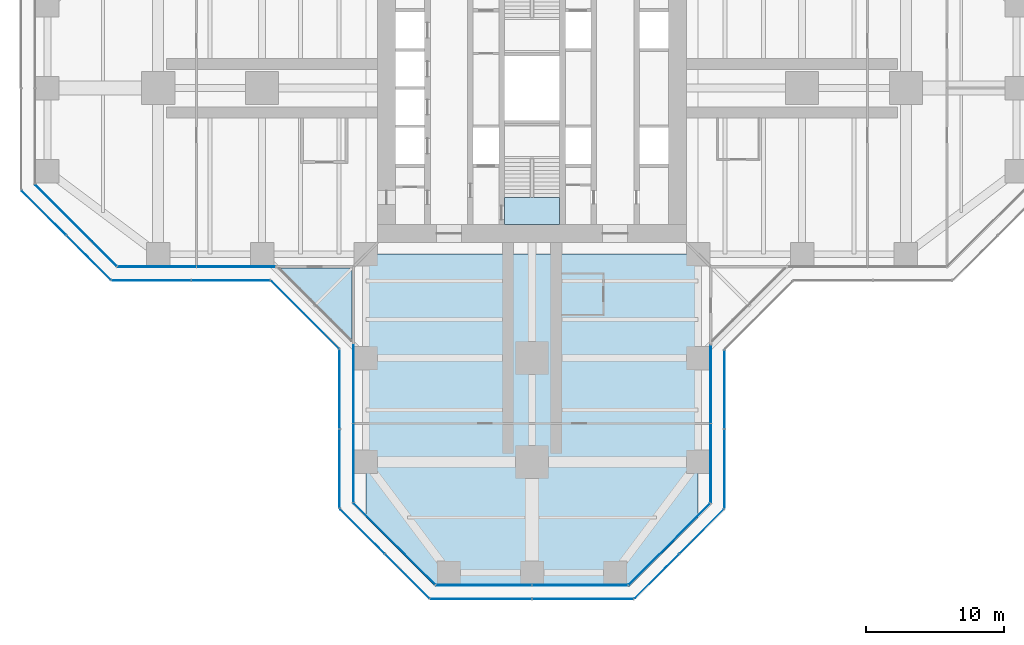
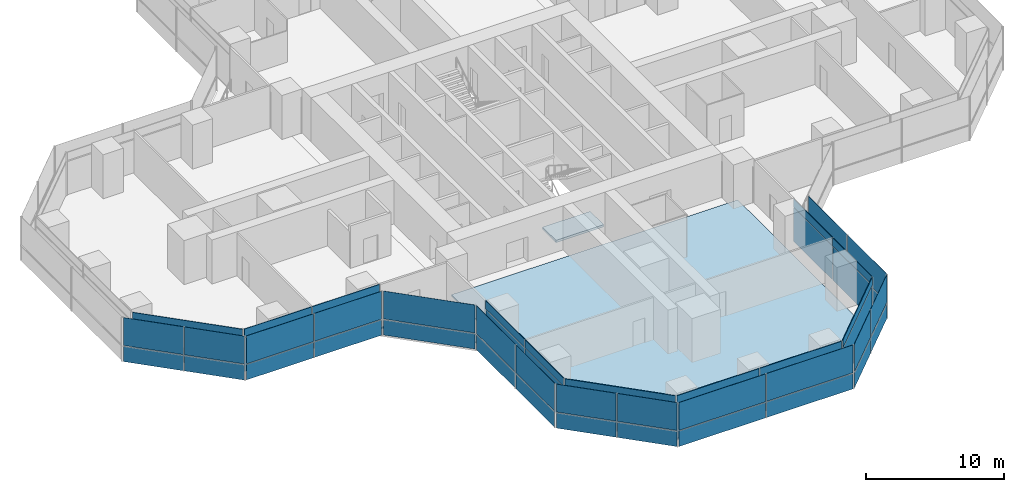
# One storey, part 14 of 22: 52 plates, 3 slabs, 16 elements without a shape of their own.
"""IFC4 building model written with IfcOpenShell, lengths in metres."""

from ifc_helpers import new_model, si_unit, direction, frame, origin, origin_2d, place, context, subcontext, project, spatial, polyline, rectangle, outline, extrude, material, layer, layer_set, type_object, element, aggregate, save


model = new_model("IFC4")

# Units and contexts
model_context = context("Model", 3, precision=1e-05, world=origin(), true_north=direction((0.0, 1.0)))
body_context = subcontext(model_context, "Body", "Model", "MODEL_VIEW")
ifc_project = project(units=[si_unit("LENGTHUNIT", "METRE"), si_unit("AREAUNIT", "SQUARE_METRE"), si_unit("VOLUMEUNIT", "CUBIC_METRE"), si_unit("PLANEANGLEUNIT", "RADIAN"), si_unit("MASSUNIT", "GRAM", prefix="KILO")], contexts=[model_context])

# Site, building, storey
site_placement = place(None, origin())
site = spatial("IfcSite", under=ifc_project, at=site_placement, CompositionType="ELEMENT")
building_placement = place(site_placement, origin())
building = spatial("IfcBuilding", under=site, at=building_placement, Name="Mizan Broadcast Tower", CompositionType="ELEMENT")
storey_placement = place(building_placement, frame((0.0, 0.0, 102.0)))
storey = spatial("IfcBuildingStorey", under=building, at=storey_placement, Name="L22", CompositionType="ELEMENT", Elevation=102.0)

# Slab
ifc_material_1 = material(Name="Concrete C32/40", Category="concrete")
ifc_layer_1 = layer(ifc_material_1, 0.1298828125)
ifc_layer_set_1 = layer_set([ifc_layer_1], Name="Concrete C32/40")
slab_type_1 = type_object("IfcSlabType", Name="COMPOSITE DECK SLAB 130", PredefinedType="FLOOR", material=ifc_layer_set_1)
slab_1_placement = place(storey_placement, frame((0.0, 0.0, -0.1298828125)))
element("IfcSlab", 1, at=slab_1_placement, inside=storey, type_object=slab_type_1, Name="Floor slab L22 south arm", PredefinedType="FLOOR", context=body_context, shape_type="SweptSolid", body=[
    extrude(outline(polyline([(7.0, -36.0), (12.0, -31.0), (12.0, -12.0), (-12.0, -12.0), (-12.0, -31.0), (-7.0, -36.0), (7.0, -36.0)])), origin(), (0.0, 0.0, 1.0), 0.1298828125),
])

# Curtain wall, plate
ifc_material_2 = material(Name="Aluminium framed glazing", Category="aluminium")
curtain_wall_type_1 = type_object("IfcCurtainWallType", Name="INNER SKIN LOW ZONE", PredefinedType="USERDEFINED", material=ifc_material_2)
curtain_wall_1_placement = place(storey_placement, origin())
curtain_wall_1 = element("IfcCurtainWall", 2, at=curtain_wall_1_placement, inside=storey, type_object=curtain_wall_type_1, Name="Inner skin low zone L22 W chamfer", ObjectType="INNER SKIN LOW ZONE", PredefinedType="USERDEFINED")
ifc_material_3 = material(Name="Double glazing, clear low-e", Category="glass")
ifc_layer_2 = layer(ifc_material_3, 0.028076171875)
ifc_layer_set_2 = layer_set([ifc_layer_2], Name="Double glazing, clear low-e")
plate_type_1 = type_object("IfcPlateType", Name="INNER SKIN GLAZING UNIT", PredefinedType="CURTAIN_PANEL", material=ifc_layer_set_2)
plate_1_placement = place(storey_placement, frame((-32.92919921875, -9.92919921875, 0.0), z_axis=(0.0, 0.0, 1.0), x_axis=(0.707106781187, -0.707106781187, 0.0)))
plate_1 = element("IfcPlate", 3, at=plate_1_placement, type_object=plate_type_1, Name="Inner skin low zone L22 W chamfer panel 1.1", PredefinedType="CURTAIN_PANEL", context=body_context, shape_type="SweptSolid", body=[
    extrude(rectangle(XDim=8.282470703125, YDim=0.028076171875, at=origin_2d()), origin(), (0.0, 0.0, 1.0), 3.0),
])

# Curtain wall, plates
curtain_wall_2_placement = place(storey_placement, origin())
curtain_wall_2 = element("IfcCurtainWall", 4, at=curtain_wall_2_placement, inside=storey, type_object=curtain_wall_type_1, Name="Inner skin low zone L22 W side", ObjectType="INNER SKIN LOW ZONE", PredefinedType="USERDEFINED")
plate_2_placement = place(storey_placement, frame((-27.078857421875, -12.89990234375, 0.0), z_axis=(0.0, 0.0, 1.0), x_axis=(1.0, 0.0, 0.0)))
plate_2 = element("IfcPlate", 5, at=plate_2_placement, type_object=plate_type_1, Name="Inner skin low zone L22 W side panel 1.1", PredefinedType="CURTAIN_PANEL", context=body_context, shape_type="SweptSolid", body=[
    extrude(rectangle(XDim=5.639404296875, YDim=0.028076171875, at=origin_2d()), origin(), (0.0, 0.0, 1.0), 3.0),
])
plate_3_placement = place(storey_placement, frame((-21.379638671875, -12.89990234375, 0.0), z_axis=(0.0, 0.0, 1.0), x_axis=(1.0, 0.0, 0.0)))
plate_3 = element("IfcPlate", 6, at=plate_3_placement, type_object=plate_type_1, Name="Inner skin low zone L22 W side panel 2.1", PredefinedType="CURTAIN_PANEL", context=body_context, shape_type="SweptSolid", body=[
    extrude(rectangle(XDim=5.639404296875, YDim=0.028076171875, at=origin_2d()), origin(), (0.0, 0.0, 1.0), 3.0),
])

curtain_wall_3_placement = place(storey_placement, origin())
curtain_wall_3 = element("IfcCurtainWall", 7, at=curtain_wall_3_placement, inside=storey, type_object=curtain_wall_type_1, Name="Inner skin low zone L22 S side", ObjectType="INNER SKIN LOW ZONE", PredefinedType="USERDEFINED")
plate_4_placement = place(storey_placement, frame((-12.89990234375, -21.379638671875, 0.0), z_axis=(0.0, 0.0, 1.0), x_axis=(0.0, -1.0, 0.0)))
plate_4 = element("IfcPlate", 8, at=plate_4_placement, type_object=plate_type_1, Name="Inner skin low zone L22 S side panel 1.1", PredefinedType="CURTAIN_PANEL", context=body_context, shape_type="SweptSolid", body=[
    extrude(rectangle(XDim=5.639404296875, YDim=0.028076171875, at=origin_2d()), origin(), (0.0, 0.0, 1.0), 3.0),
])
plate_5_placement = place(storey_placement, frame((-12.89990234375, -27.078857421875, 0.0), z_axis=(0.0, 0.0, 1.0), x_axis=(0.0, -1.0, 0.0)))
plate_5 = element("IfcPlate", 9, at=plate_5_placement, type_object=plate_type_1, Name="Inner skin low zone L22 S side panel 2.1", PredefinedType="CURTAIN_PANEL", context=body_context, shape_type="SweptSolid", body=[
    extrude(rectangle(XDim=5.639404296875, YDim=0.028076171875, at=origin_2d()), origin(), (0.0, 0.0, 1.0), 3.0),
])

# Curtain wall, plate
curtain_wall_4_placement = place(storey_placement, origin())
curtain_wall_4 = element("IfcCurtainWall", 10, at=curtain_wall_4_placement, inside=storey, type_object=curtain_wall_type_1, Name="Inner skin low zone L22 S chamfer", ObjectType="INNER SKIN LOW ZONE", PredefinedType="USERDEFINED")
plate_6_placement = place(storey_placement, frame((-9.92919921875, -32.92919921875, 0.0), z_axis=(0.0, 0.0, 1.0), x_axis=(0.707106781187, -0.707106781187, 0.0)))
plate_6 = element("IfcPlate", 11, at=plate_6_placement, type_object=plate_type_1, Name="Inner skin low zone L22 S chamfer panel 1.1", PredefinedType="CURTAIN_PANEL", context=body_context, shape_type="SweptSolid", body=[
    extrude(rectangle(XDim=8.282470703125, YDim=0.028076171875, at=origin_2d()), origin(), (0.0, 0.0, 1.0), 3.0),
])

# Curtain wall, plates
curtain_wall_5_placement = place(storey_placement, origin())
curtain_wall_5 = element("IfcCurtainWall", 12, at=curtain_wall_5_placement, inside=storey, type_object=curtain_wall_type_1, Name="Inner skin low zone L22 S end", ObjectType="INNER SKIN LOW ZONE", PredefinedType="USERDEFINED")
plate_7_placement = place(storey_placement, frame((-3.46435546875, -35.89990234375, 0.0), z_axis=(0.0, 0.0, 1.0), x_axis=(1.0, 0.0, 0.0)))
plate_7 = element("IfcPlate", 13, at=plate_7_placement, type_object=plate_type_1, Name="Inner skin low zone L22 S end panel 1.1", PredefinedType="CURTAIN_PANEL", context=body_context, shape_type="SweptSolid", body=[
    extrude(rectangle(XDim=6.86865234375, YDim=0.028076171875, at=origin_2d()), origin(), (0.0, 0.0, 1.0), 3.0),
])
plate_8_placement = place(storey_placement, frame((3.46435546875, -35.89990234375, 0.0), z_axis=(0.0, 0.0, 1.0), x_axis=(1.0, 0.0, 0.0)))
plate_8 = element("IfcPlate", 14, at=plate_8_placement, type_object=plate_type_1, Name="Inner skin low zone L22 S end panel 2.1", PredefinedType="CURTAIN_PANEL", context=body_context, shape_type="SweptSolid", body=[
    extrude(rectangle(XDim=6.86865234375, YDim=0.028076171875, at=origin_2d()), origin(), (0.0, 0.0, 1.0), 3.0),
])

# Curtain wall, plate
curtain_wall_6_placement = place(storey_placement, origin())
curtain_wall_6 = element("IfcCurtainWall", 15, at=curtain_wall_6_placement, inside=storey, type_object=curtain_wall_type_1, Name="Inner skin low zone L22 S chamfer", ObjectType="INNER SKIN LOW ZONE", PredefinedType="USERDEFINED")
plate_9_placement = place(storey_placement, frame((9.92919921875, -32.92919921875, 0.0), z_axis=(0.0, 0.0, 1.0), x_axis=(0.707106781187, 0.707106781187, 0.0)))
plate_9 = element("IfcPlate", 16, at=plate_9_placement, type_object=plate_type_1, Name="Inner skin low zone L22 S chamfer panel 1.1", PredefinedType="CURTAIN_PANEL", context=body_context, shape_type="SweptSolid", body=[
    extrude(rectangle(XDim=8.282470703125, YDim=0.028076171875, at=origin_2d()), origin(), (0.0, 0.0, 1.0), 3.0),
])

# Curtain wall, plates
curtain_wall_7_placement = place(storey_placement, origin())
curtain_wall_7 = element("IfcCurtainWall", 17, at=curtain_wall_7_placement, inside=storey, type_object=curtain_wall_type_1, Name="Inner skin low zone L22 S side", ObjectType="INNER SKIN LOW ZONE", PredefinedType="USERDEFINED")
plate_10_placement = place(storey_placement, frame((12.89990234375, -27.078857421875, 0.0), z_axis=(0.0, 0.0, 1.0), x_axis=(0.0, 1.0, 0.0)))
plate_10 = element("IfcPlate", 18, at=plate_10_placement, type_object=plate_type_1, Name="Inner skin low zone L22 S side panel 1.1", PredefinedType="CURTAIN_PANEL", context=body_context, shape_type="SweptSolid", body=[
    extrude(rectangle(XDim=5.639404296875, YDim=0.028076171875, at=origin_2d()), origin(), (0.0, 0.0, 1.0), 3.0),
])
plate_11_placement = place(storey_placement, frame((12.89990234375, -21.379638671875, 0.0), z_axis=(0.0, 0.0, 1.0), x_axis=(0.0, 1.0, 0.0)))
plate_11 = element("IfcPlate", 19, at=plate_11_placement, type_object=plate_type_1, Name="Inner skin low zone L22 S side panel 2.1", PredefinedType="CURTAIN_PANEL", context=body_context, shape_type="SweptSolid", body=[
    extrude(rectangle(XDim=5.639404296875, YDim=0.028076171875, at=origin_2d()), origin(), (0.0, 0.0, 1.0), 3.0),
])

# Plate
ifc_material_4 = material(Name="Insulated aluminium spandrel panel, pale anodised", Category="aluminium")
ifc_layer_3 = layer(ifc_material_4, 0.050048828125)
ifc_layer_set_3 = layer_set([ifc_layer_3], Name="Insulated aluminium spandrel panel, pale anodised")
plate_type_2 = type_object("IfcPlateType", Name="INNER SKIN SPANDREL PANEL", PredefinedType="CURTAIN_PANEL", material=ifc_layer_set_3)
plate_12_placement = place(storey_placement, frame((-32.92919921875, -9.92919921875, 3.06005859375), z_axis=(0.0, 0.0, 1.0), x_axis=(0.707106781187, -0.707106781187, 0.0)))
plate_12 = element("IfcPlate", 20, at=plate_12_placement, type_object=plate_type_2, Name="Inner skin low zone L22 W chamfer panel 1.2", PredefinedType="CURTAIN_PANEL", context=body_context, shape_type="SweptSolid", body=[
    extrude(rectangle(XDim=8.282470703125, YDim=0.050048828125, at=origin_2d()), origin(), (0.0, 0.0, 1.0), 0.7099609375),
])

aggregate(curtain_wall_1, [plate_1, plate_12])

plate_13_placement = place(storey_placement, frame((-27.078857421875, -12.89990234375, 3.06005859375), z_axis=(0.0, 0.0, 1.0), x_axis=(1.0, 0.0, 0.0)))
plate_13 = element("IfcPlate", 21, at=plate_13_placement, type_object=plate_type_2, Name="Inner skin low zone L22 W side panel 1.2", PredefinedType="CURTAIN_PANEL", context=body_context, shape_type="SweptSolid", body=[
    extrude(rectangle(XDim=5.639404296875, YDim=0.050048828125, at=origin_2d()), origin(), (0.0, 0.0, 1.0), 0.7099609375),
])

plate_14_placement = place(storey_placement, frame((-21.379638671875, -12.89990234375, 3.06005859375), z_axis=(0.0, 0.0, 1.0), x_axis=(1.0, 0.0, 0.0)))
plate_14 = element("IfcPlate", 22, at=plate_14_placement, type_object=plate_type_2, Name="Inner skin low zone L22 W side panel 2.2", PredefinedType="CURTAIN_PANEL", context=body_context, shape_type="SweptSolid", body=[
    extrude(rectangle(XDim=5.639404296875, YDim=0.050048828125, at=origin_2d()), origin(), (0.0, 0.0, 1.0), 0.7099609375),
])

aggregate(curtain_wall_2, [plate_2, plate_13, plate_3, plate_14])

plate_15_placement = place(storey_placement, frame((-12.89990234375, -21.379638671875, 3.06005859375), z_axis=(0.0, 0.0, 1.0), x_axis=(0.0, -1.0, 0.0)))
plate_15 = element("IfcPlate", 23, at=plate_15_placement, type_object=plate_type_2, Name="Inner skin low zone L22 S side panel 1.2", PredefinedType="CURTAIN_PANEL", context=body_context, shape_type="SweptSolid", body=[
    extrude(rectangle(XDim=5.639404296875, YDim=0.050048828125, at=origin_2d()), origin(), (0.0, 0.0, 1.0), 0.7099609375),
])

plate_16_placement = place(storey_placement, frame((-12.89990234375, -27.078857421875, 3.06005859375), z_axis=(0.0, 0.0, 1.0), x_axis=(0.0, -1.0, 0.0)))
plate_16 = element("IfcPlate", 24, at=plate_16_placement, type_object=plate_type_2, Name="Inner skin low zone L22 S side panel 2.2", PredefinedType="CURTAIN_PANEL", context=body_context, shape_type="SweptSolid", body=[
    extrude(rectangle(XDim=5.639404296875, YDim=0.050048828125, at=origin_2d()), origin(), (0.0, 0.0, 1.0), 0.7099609375),
])

aggregate(curtain_wall_3, [plate_4, plate_15, plate_5, plate_16])

plate_17_placement = place(storey_placement, frame((-9.92919921875, -32.92919921875, 3.06005859375), z_axis=(0.0, 0.0, 1.0), x_axis=(0.707106781187, -0.707106781187, 0.0)))
plate_17 = element("IfcPlate", 25, at=plate_17_placement, type_object=plate_type_2, Name="Inner skin low zone L22 S chamfer panel 1.2", PredefinedType="CURTAIN_PANEL", context=body_context, shape_type="SweptSolid", body=[
    extrude(rectangle(XDim=8.282470703125, YDim=0.050048828125, at=origin_2d()), origin(), (0.0, 0.0, 1.0), 0.7099609375),
])

aggregate(curtain_wall_4, [plate_6, plate_17])

plate_18_placement = place(storey_placement, frame((-3.46435546875, -35.89990234375, 3.06005859375), z_axis=(0.0, 0.0, 1.0), x_axis=(1.0, 0.0, 0.0)))
plate_18 = element("IfcPlate", 26, at=plate_18_placement, type_object=plate_type_2, Name="Inner skin low zone L22 S end panel 1.2", PredefinedType="CURTAIN_PANEL", context=body_context, shape_type="SweptSolid", body=[
    extrude(rectangle(XDim=6.86865234375, YDim=0.050048828125, at=origin_2d()), origin(), (0.0, 0.0, 1.0), 0.7099609375),
])

plate_19_placement = place(storey_placement, frame((3.46435546875, -35.89990234375, 3.06005859375), z_axis=(0.0, 0.0, 1.0), x_axis=(1.0, 0.0, 0.0)))
plate_19 = element("IfcPlate", 27, at=plate_19_placement, type_object=plate_type_2, Name="Inner skin low zone L22 S end panel 2.2", PredefinedType="CURTAIN_PANEL", context=body_context, shape_type="SweptSolid", body=[
    extrude(rectangle(XDim=6.86865234375, YDim=0.050048828125, at=origin_2d()), origin(), (0.0, 0.0, 1.0), 0.7099609375),
])

aggregate(curtain_wall_5, [plate_7, plate_18, plate_8, plate_19])

plate_20_placement = place(storey_placement, frame((9.92919921875, -32.92919921875, 3.06005859375), z_axis=(0.0, 0.0, 1.0), x_axis=(0.707106781187, 0.707106781187, 0.0)))
plate_20 = element("IfcPlate", 28, at=plate_20_placement, type_object=plate_type_2, Name="Inner skin low zone L22 S chamfer panel 1.2", PredefinedType="CURTAIN_PANEL", context=body_context, shape_type="SweptSolid", body=[
    extrude(rectangle(XDim=8.282470703125, YDim=0.050048828125, at=origin_2d()), origin(), (0.0, 0.0, 1.0), 0.7099609375),
])

aggregate(curtain_wall_6, [plate_9, plate_20])

plate_21_placement = place(storey_placement, frame((12.89990234375, -27.078857421875, 3.06005859375), z_axis=(0.0, 0.0, 1.0), x_axis=(0.0, 1.0, 0.0)))
plate_21 = element("IfcPlate", 29, at=plate_21_placement, type_object=plate_type_2, Name="Inner skin low zone L22 S side panel 1.2", PredefinedType="CURTAIN_PANEL", context=body_context, shape_type="SweptSolid", body=[
    extrude(rectangle(XDim=5.639404296875, YDim=0.050048828125, at=origin_2d()), origin(), (0.0, 0.0, 1.0), 0.7099609375),
])

plate_22_placement = place(storey_placement, frame((12.89990234375, -21.379638671875, 3.06005859375), z_axis=(0.0, 0.0, 1.0), x_axis=(0.0, 1.0, 0.0)))
plate_22 = element("IfcPlate", 30, at=plate_22_placement, type_object=plate_type_2, Name="Inner skin low zone L22 S side panel 2.2", PredefinedType="CURTAIN_PANEL", context=body_context, shape_type="SweptSolid", body=[
    extrude(rectangle(XDim=5.639404296875, YDim=0.050048828125, at=origin_2d()), origin(), (0.0, 0.0, 1.0), 0.7099609375),
])

aggregate(curtain_wall_7, [plate_10, plate_21, plate_11, plate_22])

# Curtain wall, plates
ifc_material_5 = material(Name="Aluminium framed glazing", Category="aluminium")
curtain_wall_type_2 = type_object("IfcCurtainWallType", Name="OUTER SKIN", PredefinedType="USERDEFINED", material=ifc_material_5)
curtain_wall_8_placement = place(storey_placement, origin())
curtain_wall_8 = element("IfcCurtainWall", 31, at=curtain_wall_8_placement, inside=storey, type_object=curtain_wall_type_2, Name="Outer skin L22 W chamfer", ObjectType="OUTER SKIN", PredefinedType="USERDEFINED")
ifc_material_6 = material(Name="Laminated clear glass", Category="glass")
ifc_layer_4 = layer(ifc_material_6, 0.02001953125)
ifc_layer_set_4 = layer_set([ifc_layer_4], Name="Laminated clear glass")
plate_type_3 = type_object("IfcPlateType", Name="OUTER SKIN CLEAR GLASS", PredefinedType="CURTAIN_PANEL", material=ifc_layer_set_4)
plate_23_placement = place(storey_placement, frame((-35.254150390625, -9.018798828125, 0.0), z_axis=(0.0, 0.0, 1.0), x_axis=(0.707106781187, -0.707106781187, 0.0)))
plate_23 = element("IfcPlate", 32, at=plate_23_placement, type_object=plate_type_3, Name="Outer skin L22 W chamfer panel 1.1", PredefinedType="CURTAIN_PANEL", context=body_context, shape_type="SweptSolid", body=[
    extrude(rectangle(XDim=4.495361328125, YDim=0.02001953125, at=origin_2d()), origin(), (0.0, 0.0, 1.0), 1.3701171875),
])
plate_24_placement = place(storey_placement, frame((-35.254150390625, -9.018798828125, 1.43017578125), z_axis=(0.0, 0.0, 1.0), x_axis=(0.707106781187, -0.707106781187, 0.0)))
plate_24 = element("IfcPlate", 33, at=plate_24_placement, type_object=plate_type_3, Name="Outer skin L22 W chamfer panel 1.2", PredefinedType="CURTAIN_PANEL", context=body_context, shape_type="SweptSolid", body=[
    extrude(rectangle(XDim=4.495361328125, YDim=0.02001953125, at=origin_2d()), origin(), (0.0, 0.0, 1.0), 2.469970703125),
])

curtain_wall_9_placement = place(storey_placement, origin())
curtain_wall_9 = element("IfcCurtainWall", 34, at=curtain_wall_9_placement, inside=storey, type_object=curtain_wall_type_2, Name="Outer skin L22 W side", ObjectType="OUTER SKIN", PredefinedType="USERDEFINED")
plate_25_placement = place(storey_placement, frame((-27.477783203125, -13.89990234375, 0.0), z_axis=(0.0, 0.0, 1.0), x_axis=(1.0, 0.0, 0.0)))
plate_25 = element("IfcPlate", 35, at=plate_25_placement, type_object=plate_type_3, Name="Outer skin L22 W side panel 1.1", PredefinedType="CURTAIN_PANEL", context=body_context, shape_type="SweptSolid", body=[
    extrude(rectangle(XDim=5.6298828125, YDim=0.02001953125, at=origin_2d()), origin(), (0.0, 0.0, 1.0), 1.3701171875),
])
plate_26_placement = place(storey_placement, frame((-27.477783203125, -13.89990234375, 1.43017578125), z_axis=(0.0, 0.0, 1.0), x_axis=(1.0, 0.0, 0.0)))
plate_26 = element("IfcPlate", 36, at=plate_26_placement, type_object=plate_type_3, Name="Outer skin L22 W side panel 1.2", PredefinedType="CURTAIN_PANEL", context=body_context, shape_type="SweptSolid", body=[
    extrude(rectangle(XDim=5.6298828125, YDim=0.02001953125, at=origin_2d()), origin(), (0.0, 0.0, 1.0), 2.469970703125),
])

curtain_wall_10_placement = place(storey_placement, origin())
curtain_wall_10 = element("IfcCurtainWall", 37, at=curtain_wall_10_placement, inside=storey, type_object=curtain_wall_type_2, Name="Outer skin L22 W chamfer", ObjectType="OUTER SKIN", PredefinedType="USERDEFINED")
plate_27_placement = place(storey_placement, frame((-16.386474609375, -16.386474609375, 0.0), z_axis=(0.0, 0.0, 1.0), x_axis=(0.707106781187, -0.707106781187, 0.0)))
plate_27 = element("IfcPlate", 38, at=plate_27_placement, type_object=plate_type_3, Name="Outer skin L22 W chamfer panel 1.1", PredefinedType="CURTAIN_PANEL", context=body_context, shape_type="SweptSolid", body=[
    extrude(rectangle(XDim=6.87255859375, YDim=0.02001953125, at=origin_2d()), origin(), (0.0, 0.0, 1.0), 1.3701171875),
])
plate_28_placement = place(storey_placement, frame((-16.386474609375, -16.386474609375, 1.43017578125), z_axis=(0.0, 0.0, 1.0), x_axis=(0.707106781187, -0.707106781187, 0.0)))
plate_28 = element("IfcPlate", 39, at=plate_28_placement, type_object=plate_type_3, Name="Outer skin L22 W chamfer panel 1.2", PredefinedType="CURTAIN_PANEL", context=body_context, shape_type="SweptSolid", body=[
    extrude(rectangle(XDim=6.87255859375, YDim=0.02001953125, at=origin_2d()), origin(), (0.0, 0.0, 1.0), 2.469970703125),
])
aggregate(curtain_wall_10, [plate_27, plate_28])

curtain_wall_11_placement = place(storey_placement, origin())
curtain_wall_11 = element("IfcCurtainWall", 40, at=curtain_wall_11_placement, inside=storey, type_object=curtain_wall_type_2, Name="Outer skin L22 S side", ObjectType="OUTER SKIN", PredefinedType="USERDEFINED")
plate_29_placement = place(storey_placement, frame((-13.89990234375, -21.767822265625, 0.0), z_axis=(0.0, 0.0, 1.0), x_axis=(0.0, -1.0, 0.0)))
plate_29 = element("IfcPlate", 41, at=plate_29_placement, type_object=plate_type_3, Name="Outer skin L22 S side panel 1.1", PredefinedType="CURTAIN_PANEL", context=body_context, shape_type="SweptSolid", body=[
    extrude(rectangle(XDim=5.6298828125, YDim=0.02001953125, at=origin_2d()), origin(), (0.0, 0.0, 1.0), 1.3701171875),
])
plate_30_placement = place(storey_placement, frame((-13.89990234375, -21.767822265625, 1.43017578125), z_axis=(0.0, 0.0, 1.0), x_axis=(0.0, -1.0, 0.0)))
plate_30 = element("IfcPlate", 42, at=plate_30_placement, type_object=plate_type_3, Name="Outer skin L22 S side panel 1.2", PredefinedType="CURTAIN_PANEL", context=body_context, shape_type="SweptSolid", body=[
    extrude(rectangle(XDim=5.6298828125, YDim=0.02001953125, at=origin_2d()), origin(), (0.0, 0.0, 1.0), 2.469970703125),
])

curtain_wall_12_placement = place(storey_placement, origin())
curtain_wall_12 = element("IfcCurtainWall", 43, at=curtain_wall_12_placement, inside=storey, type_object=curtain_wall_type_2, Name="Outer skin L22 S chamfer", ObjectType="OUTER SKIN", PredefinedType="USERDEFINED")
plate_31_placement = place(storey_placement, frame((-12.254150390625, -32.018798828125, 0.0), z_axis=(0.0, 0.0, 1.0), x_axis=(0.707106781187, -0.707106781187, 0.0)))
plate_31 = element("IfcPlate", 44, at=plate_31_placement, type_object=plate_type_3, Name="Outer skin L22 S chamfer panel 1.1", PredefinedType="CURTAIN_PANEL", context=body_context, shape_type="SweptSolid", body=[
    extrude(rectangle(XDim=4.495361328125, YDim=0.02001953125, at=origin_2d()), origin(), (0.0, 0.0, 1.0), 1.3701171875),
])
plate_32_placement = place(storey_placement, frame((-12.254150390625, -32.018798828125, 1.43017578125), z_axis=(0.0, 0.0, 1.0), x_axis=(0.707106781187, -0.707106781187, 0.0)))
plate_32 = element("IfcPlate", 45, at=plate_32_placement, type_object=plate_type_3, Name="Outer skin L22 S chamfer panel 1.2", PredefinedType="CURTAIN_PANEL", context=body_context, shape_type="SweptSolid", body=[
    extrude(rectangle(XDim=4.495361328125, YDim=0.02001953125, at=origin_2d()), origin(), (0.0, 0.0, 1.0), 2.469970703125),
])

curtain_wall_13_placement = place(storey_placement, origin())
curtain_wall_13 = element("IfcCurtainWall", 46, at=curtain_wall_13_placement, inside=storey, type_object=curtain_wall_type_2, Name="Outer skin L22 S end", ObjectType="OUTER SKIN", PredefinedType="USERDEFINED")
plate_33_placement = place(storey_placement, frame((-3.66650390625, -36.89990234375, 0.0), z_axis=(0.0, 0.0, 1.0), x_axis=(1.0, 0.0, 0.0)))
plate_33 = element("IfcPlate", 47, at=plate_33_placement, type_object=plate_type_3, Name="Outer skin L22 S end panel 1.1", PredefinedType="CURTAIN_PANEL", context=body_context, shape_type="SweptSolid", body=[
    extrude(rectangle(XDim=7.252685546875, YDim=0.02001953125, at=origin_2d()), origin(), (0.0, 0.0, 1.0), 1.3701171875),
])
plate_34_placement = place(storey_placement, frame((-3.66650390625, -36.89990234375, 1.43017578125), z_axis=(0.0, 0.0, 1.0), x_axis=(1.0, 0.0, 0.0)))
plate_34 = element("IfcPlate", 48, at=plate_34_placement, type_object=plate_type_3, Name="Outer skin L22 S end panel 1.2", PredefinedType="CURTAIN_PANEL", context=body_context, shape_type="SweptSolid", body=[
    extrude(rectangle(XDim=7.252685546875, YDim=0.02001953125, at=origin_2d()), origin(), (0.0, 0.0, 1.0), 2.469970703125),
])

curtain_wall_14_placement = place(storey_placement, origin())
curtain_wall_14 = element("IfcCurtainWall", 49, at=curtain_wall_14_placement, inside=storey, type_object=curtain_wall_type_2, Name="Outer skin L22 S chamfer", ObjectType="OUTER SKIN", PredefinedType="USERDEFINED")
plate_35_placement = place(storey_placement, frame((9.018798828125, -35.254150390625, 0.0), z_axis=(0.0, 0.0, 1.0), x_axis=(0.707106781187, 0.707106781187, 0.0)))
plate_35 = element("IfcPlate", 50, at=plate_35_placement, type_object=plate_type_3, Name="Outer skin L22 S chamfer panel 1.1", PredefinedType="CURTAIN_PANEL", context=body_context, shape_type="SweptSolid", body=[
    extrude(rectangle(XDim=4.495361328125, YDim=0.02001953125, at=origin_2d()), origin(), (0.0, 0.0, 1.0), 1.3701171875),
])
plate_36_placement = place(storey_placement, frame((9.018798828125, -35.254150390625, 1.43017578125), z_axis=(0.0, 0.0, 1.0), x_axis=(0.707106781187, 0.707106781187, 0.0)))
plate_36 = element("IfcPlate", 51, at=plate_36_placement, type_object=plate_type_3, Name="Outer skin L22 S chamfer panel 1.2", PredefinedType="CURTAIN_PANEL", context=body_context, shape_type="SweptSolid", body=[
    extrude(rectangle(XDim=4.495361328125, YDim=0.02001953125, at=origin_2d()), origin(), (0.0, 0.0, 1.0), 2.469970703125),
])

curtain_wall_15_placement = place(storey_placement, origin())
curtain_wall_15 = element("IfcCurtainWall", 52, at=curtain_wall_15_placement, inside=storey, type_object=curtain_wall_type_2, Name="Outer skin L22 S side", ObjectType="OUTER SKIN", PredefinedType="USERDEFINED")
plate_37_placement = place(storey_placement, frame((13.89990234375, -27.477783203125, 0.0), z_axis=(0.0, 0.0, 1.0), x_axis=(0.0, 1.0, 0.0)))
plate_37 = element("IfcPlate", 53, at=plate_37_placement, type_object=plate_type_3, Name="Outer skin L22 S side panel 1.1", PredefinedType="CURTAIN_PANEL", context=body_context, shape_type="SweptSolid", body=[
    extrude(rectangle(XDim=5.6298828125, YDim=0.02001953125, at=origin_2d()), origin(), (0.0, 0.0, 1.0), 1.3701171875),
])
plate_38_placement = place(storey_placement, frame((13.89990234375, -27.477783203125, 1.43017578125), z_axis=(0.0, 0.0, 1.0), x_axis=(0.0, 1.0, 0.0)))
plate_38 = element("IfcPlate", 54, at=plate_38_placement, type_object=plate_type_3, Name="Outer skin L22 S side panel 1.2", PredefinedType="CURTAIN_PANEL", context=body_context, shape_type="SweptSolid", body=[
    extrude(rectangle(XDim=5.6298828125, YDim=0.02001953125, at=origin_2d()), origin(), (0.0, 0.0, 1.0), 2.469970703125),
])

# Plate
ifc_material_7 = material(Name="Perforated aluminium, pale anodised", Category="aluminium")
ifc_layer_5 = layer(ifc_material_7, 0.011962890625)
ifc_layer_set_5 = layer_set([ifc_layer_5], Name="Perforated aluminium, pale anodised")
plate_type_4 = type_object("IfcPlateType", Name="OUTER SKIN PERFORATED SCREEN", PredefinedType="USERDEFINED", material=ifc_layer_set_5)
plate_39_placement = place(storey_placement, frame((-32.018798828125, -12.254150390625, 0.0), z_axis=(0.0, 0.0, 1.0), x_axis=(0.707106781187, -0.707106781187, 0.0)))
plate_39 = element("IfcPlate", 55, at=plate_39_placement, type_object=plate_type_4, Name="Outer skin L22 W chamfer panel 2.1", ObjectType="SCREEN", PredefinedType="USERDEFINED", context=body_context, shape_type="SweptSolid", body=[
    extrude(rectangle(XDim=4.495361328125, YDim=0.011962890625, at=origin_2d()), origin(), (0.0, 0.0, 1.0), 1.3701171875),
])

plate_40_placement = place(storey_placement, frame((-32.018798828125, -12.254150390625, 1.43017578125), z_axis=(0.0, 0.0, 1.0), x_axis=(0.707106781187, -0.707106781187, 0.0)))
plate_40 = element("IfcPlate", 56, at=plate_40_placement, type_object=plate_type_4, Name="Outer skin L22 W chamfer panel 2.2", ObjectType="SCREEN", PredefinedType="USERDEFINED", context=body_context, shape_type="SweptSolid", body=[
    extrude(rectangle(XDim=4.495361328125, YDim=0.011962890625, at=origin_2d()), origin(), (0.0, 0.0, 1.0), 2.469970703125),
])

aggregate(curtain_wall_8, [plate_23, plate_24, plate_39, plate_40])

plate_41_placement = place(storey_placement, frame((-21.767822265625, -13.89990234375, 0.0), z_axis=(0.0, 0.0, 1.0), x_axis=(1.0, 0.0, 0.0)))
plate_41 = element("IfcPlate", 57, at=plate_41_placement, type_object=plate_type_4, Name="Outer skin L22 W side panel 2.1", ObjectType="SCREEN", PredefinedType="USERDEFINED", context=body_context, shape_type="SweptSolid", body=[
    extrude(rectangle(XDim=5.6298828125, YDim=0.011962890625, at=origin_2d()), origin(), (0.0, 0.0, 1.0), 1.3701171875),
])

plate_42_placement = place(storey_placement, frame((-21.767822265625, -13.89990234375, 1.43017578125), z_axis=(0.0, 0.0, 1.0), x_axis=(1.0, 0.0, 0.0)))
plate_42 = element("IfcPlate", 58, at=plate_42_placement, type_object=plate_type_4, Name="Outer skin L22 W side panel 2.2", ObjectType="SCREEN", PredefinedType="USERDEFINED", context=body_context, shape_type="SweptSolid", body=[
    extrude(rectangle(XDim=5.6298828125, YDim=0.011962890625, at=origin_2d()), origin(), (0.0, 0.0, 1.0), 2.469970703125),
])

aggregate(curtain_wall_9, [plate_25, plate_26, plate_41, plate_42])

plate_43_placement = place(storey_placement, frame((-13.89990234375, -27.477783203125, 0.0), z_axis=(0.0, 0.0, 1.0), x_axis=(0.0, -1.0, 0.0)))
plate_43 = element("IfcPlate", 59, at=plate_43_placement, type_object=plate_type_4, Name="Outer skin L22 S side panel 2.1", ObjectType="SCREEN", PredefinedType="USERDEFINED", context=body_context, shape_type="SweptSolid", body=[
    extrude(rectangle(XDim=5.6298828125, YDim=0.011962890625, at=origin_2d()), origin(), (0.0, 0.0, 1.0), 1.3701171875),
])

plate_44_placement = place(storey_placement, frame((-13.89990234375, -27.477783203125, 1.43017578125), z_axis=(0.0, 0.0, 1.0), x_axis=(0.0, -1.0, 0.0)))
plate_44 = element("IfcPlate", 60, at=plate_44_placement, type_object=plate_type_4, Name="Outer skin L22 S side panel 2.2", ObjectType="SCREEN", PredefinedType="USERDEFINED", context=body_context, shape_type="SweptSolid", body=[
    extrude(rectangle(XDim=5.6298828125, YDim=0.011962890625, at=origin_2d()), origin(), (0.0, 0.0, 1.0), 2.469970703125),
])

aggregate(curtain_wall_11, [plate_29, plate_30, plate_43, plate_44])

plate_45_placement = place(storey_placement, frame((-9.018798828125, -35.254150390625, 0.0), z_axis=(0.0, 0.0, 1.0), x_axis=(0.707106781187, -0.707106781187, 0.0)))
plate_45 = element("IfcPlate", 61, at=plate_45_placement, type_object=plate_type_4, Name="Outer skin L22 S chamfer panel 2.1", ObjectType="SCREEN", PredefinedType="USERDEFINED", context=body_context, shape_type="SweptSolid", body=[
    extrude(rectangle(XDim=4.495361328125, YDim=0.011962890625, at=origin_2d()), origin(), (0.0, 0.0, 1.0), 1.3701171875),
])

plate_46_placement = place(storey_placement, frame((-9.018798828125, -35.254150390625, 1.43017578125), z_axis=(0.0, 0.0, 1.0), x_axis=(0.707106781187, -0.707106781187, 0.0)))
plate_46 = element("IfcPlate", 62, at=plate_46_placement, type_object=plate_type_4, Name="Outer skin L22 S chamfer panel 2.2", ObjectType="SCREEN", PredefinedType="USERDEFINED", context=body_context, shape_type="SweptSolid", body=[
    extrude(rectangle(XDim=4.495361328125, YDim=0.011962890625, at=origin_2d()), origin(), (0.0, 0.0, 1.0), 2.469970703125),
])

aggregate(curtain_wall_12, [plate_31, plate_32, plate_45, plate_46])

plate_47_placement = place(storey_placement, frame((3.66650390625, -36.89990234375, 0.0), z_axis=(0.0, 0.0, 1.0), x_axis=(1.0, 0.0, 0.0)))
plate_47 = element("IfcPlate", 63, at=plate_47_placement, type_object=plate_type_4, Name="Outer skin L22 S end panel 2.1", ObjectType="SCREEN", PredefinedType="USERDEFINED", context=body_context, shape_type="SweptSolid", body=[
    extrude(rectangle(XDim=7.252685546875, YDim=0.011962890625, at=origin_2d()), origin(), (0.0, 0.0, 1.0), 1.3701171875),
])

plate_48_placement = place(storey_placement, frame((3.66650390625, -36.89990234375, 1.43017578125), z_axis=(0.0, 0.0, 1.0), x_axis=(1.0, 0.0, 0.0)))
plate_48 = element("IfcPlate", 64, at=plate_48_placement, type_object=plate_type_4, Name="Outer skin L22 S end panel 2.2", ObjectType="SCREEN", PredefinedType="USERDEFINED", context=body_context, shape_type="SweptSolid", body=[
    extrude(rectangle(XDim=7.252685546875, YDim=0.011962890625, at=origin_2d()), origin(), (0.0, 0.0, 1.0), 2.469970703125),
])

aggregate(curtain_wall_13, [plate_33, plate_34, plate_47, plate_48])

plate_49_placement = place(storey_placement, frame((12.254150390625, -32.018798828125, 0.0), z_axis=(0.0, 0.0, 1.0), x_axis=(0.707106781187, 0.707106781187, 0.0)))
plate_49 = element("IfcPlate", 65, at=plate_49_placement, type_object=plate_type_4, Name="Outer skin L22 S chamfer panel 2.1", ObjectType="SCREEN", PredefinedType="USERDEFINED", context=body_context, shape_type="SweptSolid", body=[
    extrude(rectangle(XDim=4.495361328125, YDim=0.011962890625, at=origin_2d()), origin(), (0.0, 0.0, 1.0), 1.3701171875),
])

plate_50_placement = place(storey_placement, frame((12.254150390625, -32.018798828125, 1.43017578125), z_axis=(0.0, 0.0, 1.0), x_axis=(0.707106781187, 0.707106781187, 0.0)))
plate_50 = element("IfcPlate", 66, at=plate_50_placement, type_object=plate_type_4, Name="Outer skin L22 S chamfer panel 2.2", ObjectType="SCREEN", PredefinedType="USERDEFINED", context=body_context, shape_type="SweptSolid", body=[
    extrude(rectangle(XDim=4.495361328125, YDim=0.011962890625, at=origin_2d()), origin(), (0.0, 0.0, 1.0), 2.469970703125),
])

aggregate(curtain_wall_14, [plate_35, plate_36, plate_49, plate_50])

plate_51_placement = place(storey_placement, frame((13.89990234375, -21.767822265625, 0.0), z_axis=(0.0, 0.0, 1.0), x_axis=(0.0, 1.0, 0.0)))
plate_51 = element("IfcPlate", 67, at=plate_51_placement, type_object=plate_type_4, Name="Outer skin L22 S side panel 2.1", ObjectType="SCREEN", PredefinedType="USERDEFINED", context=body_context, shape_type="SweptSolid", body=[
    extrude(rectangle(XDim=5.6298828125, YDim=0.011962890625, at=origin_2d()), origin(), (0.0, 0.0, 1.0), 1.3701171875),
])

plate_52_placement = place(storey_placement, frame((13.89990234375, -21.767822265625, 1.43017578125), z_axis=(0.0, 0.0, 1.0), x_axis=(0.0, 1.0, 0.0)))
plate_52 = element("IfcPlate", 68, at=plate_52_placement, type_object=plate_type_4, Name="Outer skin L22 S side panel 2.2", ObjectType="SCREEN", PredefinedType="USERDEFINED", context=body_context, shape_type="SweptSolid", body=[
    extrude(rectangle(XDim=5.6298828125, YDim=0.011962890625, at=origin_2d()), origin(), (0.0, 0.0, 1.0), 2.469970703125),
])

aggregate(curtain_wall_15, [plate_37, plate_38, plate_51, plate_52])

# Stair, slab
ifc_material_8 = material(Name="Concrete C40/50", Category="concrete")
stair_type = type_object("IfcStairType", Name="EXIT STAIR", PredefinedType="HALF_TURN_STAIR", material=ifc_material_8)
stair_placement = place(storey_placement, origin())
stair = element("IfcStair", 69, at=stair_placement, inside=storey, type_object=stair_type, Name="Stair A L22", PredefinedType="HALF_TURN_STAIR")
ifc_material_9 = material(Name="Concrete C40/50", Category="concrete")
ifc_layer_6 = layer(ifc_material_9, 0.199951171875)
ifc_layer_set_6 = layer_set([ifc_layer_6], Name="Concrete C40/50")
slab_type_2 = type_object("IfcSlabType", Name="STAIR LANDING 200", PredefinedType="LANDING", material=ifc_layer_set_6)
slab_2_placement = place(storey_placement, frame((0.0, 0.0, -0.199951171875)))
slab_2 = element("IfcSlab", 70, at=slab_2_placement, type_object=slab_type_2, Name="A landing 1", PredefinedType="LANDING", context=body_context, shape_type="SweptSolid", body=[
    extrude(outline(polyline([(-2.0, -9.85009765625), (-2.0, -7.89990234375), (2.0, -7.89990234375), (2.0, -9.85009765625), (-2.0, -9.85009765625)])), origin(), (0.0, 0.0, 1.0), 0.199951171875),
])
aggregate(stair, [slab_2])

# Slab
ifc_material_10 = material(Name="Concrete C32/40", Category="concrete")
ifc_layer_7 = layer(ifc_material_10, 0.1298828125)
ifc_layer_set_7 = layer_set([ifc_layer_7], Name="Concrete C32/40")
slab_type_3 = type_object("IfcSlabType", Name="WINTER GARDEN SLAB 130", PredefinedType="FLOOR", material=ifc_layer_set_7)
slab_3_placement = place(storey_placement, frame((0.0, 0.0, -0.1298828125)))
element("IfcSlab", 71, at=slab_3_placement, inside=storey, type_object=slab_type_3, Name="Winter garden slab L22 W", PredefinedType="FLOOR", context=body_context, shape_type="SweptSolid", body=[
    extrude(outline(polyline([(-13.0, -13.0), (-18.5, -13.0), (-13.0, -18.5), (-13.0, -13.0)])), origin(), (0.0, 0.0, 1.0), 0.1298828125),
])

save(model, "model.ifc")
